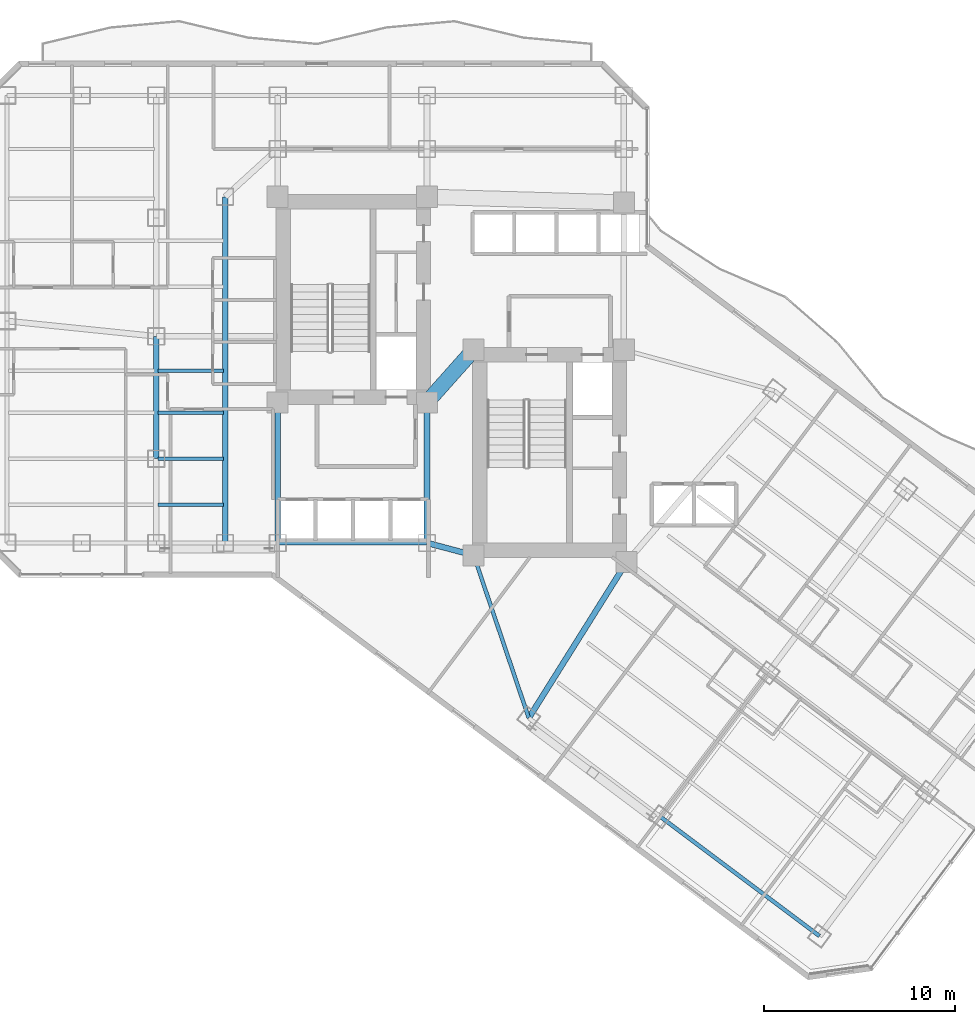
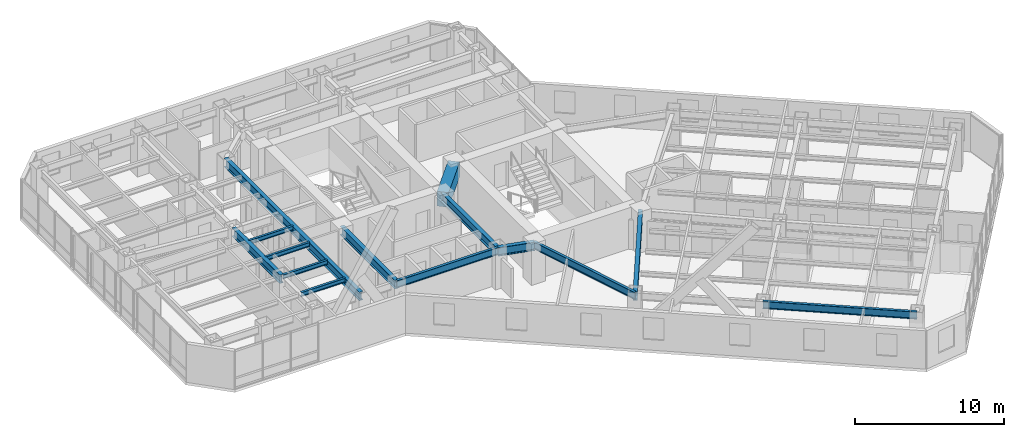
# One storey, part 5 of 30: 14 beams.
"""IFC4 building model written with IfcOpenShell, lengths in metres."""

import ifcopenshell
import ifcopenshell.guid

model = None  # the IFC model being written
_history = None  # IfcOwnerHistory: only IFC2X3 demands one
_inside = {}  # id of a spatial element -> (the spatial element, [elements in it])
_under = {}  # id of a project, library or spatial element -> (it, [spatial elements below it])
_declared = {}  # id of a project -> (the project, [libraries it declares])
_typed = {}  # id of a type object -> (the type object, [elements of that type])
_made_of = {}  # id of a material, layer set ... -> (it, [elements and type objects made of it])


def new_model(schema):
    """Start an empty IFC model of exactly this schema.

    Asked for "IFC4X3", IfcOpenShell would pick the latest addendum, in which some entities
    have other attributes; the version numbers below select the first issue.
    IFC2X3 requires an IfcOwnerHistory on every rooted entity: one is made here for all.
    """
    global model, _history
    if schema == "IFC4X3":
        model = ifcopenshell.file(schema_version=(4, 3, 0, 0))
    else:
        model = ifcopenshell.file(schema=schema)
    _inside.clear()
    _under.clear()
    _declared.clear()
    _typed.clear()
    _made_of.clear()
    _history = None
    if model.schema == "IFC2X3":
        org = make("IfcOrganization", Name="unknown")
        user = make(
            "IfcPersonAndOrganization",
            ThePerson=make("IfcPerson", FamilyName="unknown"),
            TheOrganization=org,
        )
        app = make(
            "IfcApplication",
            ApplicationDeveloper=org,
            Version="unknown",
            ApplicationFullName="unknown",
            ApplicationIdentifier="unknown",
        )
        _history = make(
            "IfcOwnerHistory",
            OwningUser=user,
            OwningApplication=app,
            ChangeAction="ADDED",
            CreationDate=0,
        )
    return model


def make(cls, **values):
    """One entity of the class cls with the attributes given. An attribute that is None is left unset."""
    return model.create_entity(
        cls, **{name: value for name, value in values.items() if value is not None}
    )


def rooted(cls, **values):
    """An entity with a GlobalId (a new one), such as an element, a storey or a relation."""
    return make(cls, GlobalId=ifcopenshell.guid.new(), OwnerHistory=_history, **values)


def si_unit(unit_type, name, prefix=None):
    """IfcSIUnit, for example si_unit("LENGTHUNIT", "METRE", prefix="MILLI")."""
    return make("IfcSIUnit", UnitType=unit_type, Prefix=prefix, Name=name)


def assignment(units):
    """IfcUnitAssignment: the units of a project."""
    return None if units is None else make("IfcUnitAssignment", Units=units)


def point(xyz):
    """IfcCartesianPoint."""
    return None if xyz is None else make("IfcCartesianPoint", Coordinates=xyz)


def direction(xyz):
    """IfcDirection."""
    return None if xyz is None else make("IfcDirection", DirectionRatios=xyz)


def frame(location, z_axis=None, x_axis=None):
    """IfcAxis2Placement3D, a coordinate frame: its origin and axes. An axis left out is left unset."""
    return make(
        "IfcAxis2Placement3D",
        Location=point(location),
        Axis=direction(z_axis),
        RefDirection=direction(x_axis),
    )


def frame_2d(location, x_axis=None):
    """IfcAxis2Placement2D, a coordinate frame in the plane: its origin and x axis."""
    return make(
        "IfcAxis2Placement2D", Location=point(location), RefDirection=direction(x_axis)
    )


def origin():
    """The frame at (0, 0, 0) with its axes left unset."""
    return frame((0.0, 0.0, 0.0))


def origin_2d():
    """The frame at (0, 0) in the plane with its x axis left unset."""
    return frame_2d((0.0, 0.0))


def place(relative_to, where):
    """IfcLocalPlacement: puts the frame where relative to a parent placement (None: the world)."""
    return make(
        "IfcLocalPlacement", PlacementRelTo=relative_to, RelativePlacement=where
    )


def context(
    kind, dimensions, precision=None, world=None, true_north=None, identifier=None
):
    """IfcGeometricRepresentationContext, for example the 3D "Model" context."""
    return make(
        "IfcGeometricRepresentationContext",
        ContextIdentifier=identifier,
        ContextType=kind,
        CoordinateSpaceDimension=dimensions,
        Precision=precision,
        WorldCoordinateSystem=world,
        TrueNorth=true_north,
    )


def subcontext(parent, identifier, kind, view, scale=None):
    """IfcGeometricRepresentationSubContext, for example "Body" below "Model"."""
    return make(
        "IfcGeometricRepresentationSubContext",
        ContextIdentifier=identifier,
        ContextType=kind,
        ParentContext=parent,
        TargetScale=scale,
        TargetView=view,
    )


def project(units=None, contexts=None):
    """IfcProject with its units and contexts."""
    return rooted(
        "IfcProject",
        Name="project",
        RepresentationContexts=contexts,
        UnitsInContext=assignment(units),
    )


def spatial(cls, under=None, at=None, **own):
    """A site, building, storey or space (cls), placed at a placement, below another one or the project."""
    s = rooted(cls, ObjectPlacement=at, **own)
    if under is not None:
        _under.setdefault(under.id(), (under, []))[1].append(s)
    return s


def profile(cls, at=None, kind="AREA", **sizes):
    """A parametric profile (cls). Its sizes go by their IFC names, for example OverallWidth=200.0."""
    return make(cls, ProfileType=kind, Position=at, **sizes)


def rectangle(**sizes):
    """IfcRectangleProfileDef."""
    return profile("IfcRectangleProfileDef", **sizes)


def i_section(**sizes):
    """IfcIShapeProfileDef."""
    return profile("IfcIShapeProfileDef", **sizes)


def extrude(swept, where, along, depth):
    """IfcExtrudedAreaSolid: the profile swept, set in the frame where, extruded along a direction by depth."""
    return make(
        "IfcExtrudedAreaSolid",
        SweptArea=swept,
        Position=where,
        ExtrudedDirection=direction(along),
        Depth=depth,
    )


def shape(context_of_items, identifier, shape_type, items):
    """IfcShapeRepresentation: the items that make up one representation, for example the "Body"."""
    return make(
        "IfcShapeRepresentation",
        ContextOfItems=context_of_items,
        RepresentationIdentifier=identifier,
        RepresentationType=shape_type,
        Items=items,
    )


def material(Name=None, Category=None):
    """IfcMaterial."""
    return make("IfcMaterial", Name=Name, Category=Category)


def material_profile(
    of_material, cross_section, Name=None, Category=None, Priority=None
):
    """IfcMaterialProfile: a cross section and its material."""
    return make(
        "IfcMaterialProfile",
        Name=Name,
        Material=of_material,
        Profile=cross_section,
        Priority=Priority,
        Category=Category,
    )


def profile_set(profiles, Name=None, composite=None):
    """IfcMaterialProfileSet."""
    return make(
        "IfcMaterialProfileSet",
        Name=Name,
        MaterialProfiles=profiles,
        CompositeProfile=composite,
    )


def made_of(thing, what):
    """Note that an element or type object is made of a material, layer set ...; save() writes the relation."""
    if what is not None:
        _made_of.setdefault(what.id(), (what, []))[1].append(thing)
    return thing


def type_object(cls, material=None, **own):
    """A type object (cls), such as IfcWallType, which elements share."""
    return made_of(rooted(cls, **own), material)


def element(
    cls,
    number,
    at=None,
    inside=None,
    cuts=None,
    type_object=None,
    material=None,
    context=None,
    identifier="Body",
    shape_type=None,
    held_by="IfcProductDefinitionShape",
    body=None,
    shapes=None,
    **own,
):
    """One element of the class cls, such as IfcWall. Its Tag is "e" and its number.

    at: its placement. inside: the storey or other place that contains it. cuts: it is an
    opening in that element (IfcRelVoidsElement). A single representation is given by context,
    identifier, shape_type and body (its items); several are given by shapes. held_by: the class
    of the entity that holds the representations. save() writes the other relations.
    """
    e = rooted(cls, Tag="e%d" % number, ObjectPlacement=at, **own)
    if body is not None:
        shapes = [shape(context, identifier, shape_type, body)]
    if shapes is not None:
        e.Representation = make(held_by, Representations=shapes)
    if inside is not None:
        _inside.setdefault(inside.id(), (inside, []))[1].append(e)
    if cuts is not None:
        rooted(
            "IfcRelVoidsElement", RelatingBuildingElement=cuts, RelatedOpeningElement=e
        )
    if type_object is not None:
        _typed.setdefault(type_object.id(), (type_object, []))[1].append(e)
    return made_of(e, material)


def aggregate(whole, parts):
    """IfcRelAggregates: a whole, such as a stair, and the parts it consists of."""
    return rooted("IfcRelAggregates", RelatingObject=whole, RelatedObjects=parts)


def save(model, path):
    """Write the relations noted so far, then the file.

    IfcRelAggregates (storeys below a building ...), IfcRelContainedInSpatialStructure (elements
    in a storey), IfcRelDefinesByType, IfcRelAssociatesMaterial and IfcRelDeclares: one each for
    every whole, place, type object, material and project.
    """
    for whole, parts in _under.values():
        aggregate(whole, parts)
    for where, things in _inside.values():
        rooted(
            "IfcRelContainedInSpatialStructure",
            RelatedElements=things,
            RelatingStructure=where,
        )
    for kind, things in _typed.values():
        rooted("IfcRelDefinesByType", RelatedObjects=things, RelatingType=kind)
    for what, things in _made_of.values():
        rooted("IfcRelAssociatesMaterial", RelatedObjects=things, RelatingMaterial=what)
    for by, libraries in _declared.values():
        rooted("IfcRelDeclares", RelatingContext=by, RelatedDefinitions=libraries)
    model.write(path)


model = new_model("IFC4")

# Units and contexts
model_context = context("Model", 3, precision=1e-05, world=origin(), true_north=direction((0.0, 1.0)))
body_context = subcontext(model_context, "Body", "Model", "MODEL_VIEW")
ifc_project = project(units=[si_unit("LENGTHUNIT", "METRE"), si_unit("AREAUNIT", "SQUARE_METRE"), si_unit("VOLUMEUNIT", "CUBIC_METRE"), si_unit("PLANEANGLEUNIT", "RADIAN"), si_unit("MASSUNIT", "GRAM", prefix="KILO")], contexts=[model_context])

# Site, building, storey
site_placement = place(None, origin())
site = spatial("IfcSite", under=ifc_project, at=site_placement, CompositionType="ELEMENT")
building_placement = place(site_placement, origin())
building = spatial("IfcBuilding", under=site, at=building_placement, Name="Hatsunagi Terrace Concourse", CompositionType="ELEMENT")
storey_placement = place(building_placement, frame((0.0, 0.0, 74.60009765625)))
storey = spatial("IfcBuildingStorey", under=building, at=storey_placement, Name="L19", CompositionType="ELEMENT", Elevation=74.60009765625)

# Beams
ifc_material_1 = material(Name="Concrete Fc60", Category="concrete")
ifc_material_profile_1 = material_profile(ifc_material_1, rectangle(XDim=0.800048828125, YDim=1.199951171875, at=origin_2d()), Name="RC-800x1200")
ifc_profile_set_1 = profile_set([ifc_material_profile_1], Name="Concrete Fc60")
beam_type_1 = type_object("IfcBeamType", Name="CoreCouplingBeam_RC_800x1200", PredefinedType="BEAM", material=ifc_profile_set_1)
beam_1_placement = place(storey_placement, frame((33.35009765625, 32.550048828125, 2.52978515625), z_axis=(0.665198651008, 0.746666427997, 0.0), x_axis=(-0.746666427997, 0.665198651008, 0.0)))
element("IfcBeam", 1, at=beam_1_placement, inside=storey, type_object=beam_type_1, Name="Beam CB-01 CB-L19-1", PredefinedType="BEAM", context=body_context, shape_type="SweptSolid", body=[
    extrude(rectangle(XDim=0.800048828125, YDim=1.199951171875, at=origin_2d()), origin(), (0.0, 0.0, 1.0), 3.68310546875),
])
ifc_material_2 = material(Name="Steel SN490B", Category="steel")
ifc_material_profile_2 = material_profile(ifc_material_2, i_section(OverallWidth=0.300048828125, OverallDepth=0.699951171875, WebThickness=0.012939453125, FlangeThickness=0.02392578125, FilletRadius=0.02197265625, at=origin_2d()), Name="H-700x300x13x24")
ifc_profile_set_2 = profile_set([ifc_material_profile_2], Name="Steel SN490B")
beam_type_2 = type_object("IfcBeamType", Name="HotelFloorGirder_H_700x300", PredefinedType="BEAM", material=ifc_profile_set_2)
for number, where, z_axis, x_axis, name in (
    (2, (25.550048828125, 25.199951171875, 2.77978515625), (0.0, 1.0, 0.0), (-1.0, 0.0, 0.0), "Beam G-04 BM-L19-K1CA"),
    (3, (33.35009765625, 25.199951171875, 2.77978515625), (0.0, 1.0, 0.0), (-1.0, 0.0, 0.0), "Beam G-04 BM-L19-K2CA"),
):
    element("IfcBeam", number, at=place(storey_placement, frame(where, z_axis=z_axis, x_axis=x_axis)), inside=storey, type_object=beam_type_2, Name=name, PredefinedType="BEAM", context=body_context, shape_type="SweptSolid", body=[
        extrude(i_section(OverallWidth=0.300048828125, OverallDepth=0.699951171875, WebThickness=0.012939453125, FlangeThickness=0.02392578125, FilletRadius=0.02197265625, at=origin_2d()), origin(), (0.0, 0.0, 1.0), 7.35009765625),
    ])
beam_2_placement = place(storey_placement, frame((33.35009765625, 25.199951171875, 2.77978515625), z_axis=(0.966569840116, -0.256403479262, 0.0), x_axis=(0.256403479262, 0.966569840116, 0.0)))
element("IfcBeam", 4, at=beam_2_placement, inside=storey, type_object=beam_type_2, Name="Beam G-04 BM-L19-K2CB", PredefinedType="BEAM", context=body_context, shape_type="SweptSolid", body=[
    extrude(i_section(OverallWidth=0.300048828125, OverallDepth=0.699951171875, WebThickness=0.012939453125, FlangeThickness=0.02392578125, FilletRadius=0.02197265625, at=origin_2d()), origin(), (0.0, 0.0, 1.0), 2.53466796875),
])
beam_3_placement = place(storey_placement, frame((22.800048828125, 25.199951171875, 2.77978515625), z_axis=(0.0, 1.0, 0.0), x_axis=(-1.0, 0.0, 0.0)))
element("IfcBeam", 5, at=beam_3_placement, inside=storey, type_object=beam_type_2, Name="Beam G-04 BM-L19-CWNS", PredefinedType="BEAM", context=body_context, shape_type="SweptSolid", body=[
    extrude(i_section(OverallWidth=0.300048828125, OverallDepth=0.699951171875, WebThickness=0.012939453125, FlangeThickness=0.02392578125, FilletRadius=0.02197265625, at=origin_2d()), origin(), (0.0, 0.0, 1.0), 18.10009765625),
])
beam_4_placement = place(storey_placement, frame((19.199951171875, 29.60009765625, 2.77978515625), z_axis=(0.0, 1.0, 0.0), x_axis=(-1.0, 0.0, 0.0)))
element("IfcBeam", 6, at=beam_4_placement, inside=storey, type_object=beam_type_2, Name="Beam G-04 BM-L19-NS-19-29", PredefinedType="BEAM", context=body_context, shape_type="SweptSolid", body=[
    extrude(i_section(OverallWidth=0.300048828125, OverallDepth=0.699951171875, WebThickness=0.012939453125, FlangeThickness=0.02392578125, FilletRadius=0.02197265625, at=origin_2d()), origin(), (0.0, 0.0, 1.0), 6.39990234375),
])
beam_5_placement = place(storey_placement, frame((38.679931640625, 16.0400390625, 2.77978515625), z_axis=(0.531503907049, 0.847055840421, 0.0), x_axis=(-0.847055840421, 0.531503907049, 0.0)))
element("IfcBeam", 7, at=beam_5_placement, inside=storey, type_object=beam_type_2, Name="Beam G-04 BM-L19-SET-1A", PredefinedType="BEAM", context=body_context, shape_type="SweptSolid", body=[
    extrude(i_section(OverallWidth=0.300048828125, OverallDepth=0.699951171875, WebThickness=0.012939453125, FlangeThickness=0.02392578125, FilletRadius=0.02197265625, at=origin_2d()), origin(), (0.0, 0.0, 1.0), 9.63330078125),
])
ifc_material_3 = material(Name="Steel SN490B", Category="steel")
ifc_material_profile_3 = material_profile(ifc_material_3, i_section(OverallWidth=0.175048828125, OverallDepth=0.35009765625, WebThickness=0.007080078125, FlangeThickness=0.010986328125, FilletRadius=0.012939453125, at=origin_2d()), Name="H-350x175x7x11")
ifc_profile_set_3 = profile_set([ifc_material_profile_3], Name="Steel SN490B")
beam_type_3 = type_object("IfcBeamType", Name="HotelJoist_H_350x175", PredefinedType="JOIST", material=ifc_profile_set_3)
for number, where, z_axis, x_axis, name in (
    (8, (19.284912109375, 27.199951171875, 2.954833984375), (1.0, 0.0, 0.0), (0.0, 1.0, 0.0), "Beam J-02 J-L19-W-19-272"),
    (9, (19.284912109375, 29.60009765625, 2.954833984375), (1.0, 0.0, 0.0), (0.0, 1.0, 0.0), "Beam J-02 J-L19-W-19-296"),
    (10, (19.284912109375, 32.0, 2.954833984375), (1.0, 0.0, 0.0), (0.0, 1.0, 0.0), "Beam J-02 J-L19-W-19-320"),
    (11, (19.284912109375, 34.199951171875, 2.954833984375), (1.0, 0.0, 0.0), (0.0, 1.0, 0.0), "Beam J-02 J-L19-W-19-342"),
):
    element("IfcBeam", number, at=place(storey_placement, frame(where, z_axis=z_axis, x_axis=x_axis)), inside=storey, type_object=beam_type_3, Name=name, PredefinedType="JOIST", context=body_context, shape_type="SweptSolid", body=[
        extrude(i_section(OverallWidth=0.175048828125, OverallDepth=0.35009765625, WebThickness=0.007080078125, FlangeThickness=0.010986328125, FilletRadius=0.012939453125, at=origin_2d()), origin(), (0.0, 0.0, 1.0), 3.43017578125),
    ])
ifc_material_4 = material(Name="Steel SN490B", Category="steel")
ifc_material_profile_4 = material_profile(ifc_material_4, i_section(OverallWidth=0.199951171875, OverallDepth=0.60009765625, WebThickness=0.010986328125, FlangeThickness=0.01708984375, FilletRadius=0.01806640625, at=origin_2d()), Name="H-600x200x11x17")
ifc_profile_set_4 = profile_set([ifc_material_profile_4], Name="Steel SN490B")
beam_type_4 = type_object("IfcBeamType", Name="PerimeterSpandrel_H_600x200", PredefinedType="SPANDREL", material=ifc_profile_set_4)
beam_6_placement = place(storey_placement, frame((25.550048828125, 25.199951171875, 2.829833984375), z_axis=(1.0, 0.0, 0.0), x_axis=(0.0, 1.0, 0.0)))
element("IfcBeam", 12, at=beam_6_placement, inside=storey, type_object=beam_type_4, Name="Beam SP-01 BM-L19-WS-25", PredefinedType="SPANDREL", context=body_context, shape_type="SweptSolid", body=[
    extrude(i_section(OverallWidth=0.199951171875, OverallDepth=0.60009765625, WebThickness=0.010986328125, FlangeThickness=0.01708984375, FilletRadius=0.01806640625, at=origin_2d()), origin(), (0.0, 0.0, 1.0), 7.800048828125),
])
beam_7_placement = place(storey_placement, frame((35.800048828125, 24.550048828125, 2.829833984375), z_axis=(0.320553412271, -0.947230441805, 0.0), x_axis=(0.947230441805, 0.320553412271, 0.0)))
element("IfcBeam", 13, at=beam_7_placement, inside=storey, type_object=beam_type_4, Name="Beam SP-01 BM-L19-SE-SW0", PredefinedType="SPANDREL", context=body_context, shape_type="SweptSolid", body=[
    extrude(i_section(OverallWidth=0.199951171875, OverallDepth=0.60009765625, WebThickness=0.010986328125, FlangeThickness=0.01708984375, FilletRadius=0.01806640625, at=origin_2d()), origin(), (0.0, 0.0, 1.0), 8.984130859375),
])
beam_8_placement = place(storey_placement, frame((45.56005859375, 10.8798828125, 2.829833984375), z_axis=(0.799994365871, -0.600007512099, 0.0), x_axis=(0.600007512099, 0.799994365871, 0.0)))
element("IfcBeam", 14, at=beam_8_placement, inside=storey, type_object=beam_type_4, Name="Beam SP-01 BM-L19-SE-SW3", PredefinedType="SPANDREL", context=body_context, shape_type="SweptSolid", body=[
    extrude(i_section(OverallWidth=0.199951171875, OverallDepth=0.60009765625, WebThickness=0.010986328125, FlangeThickness=0.01708984375, FilletRadius=0.01806640625, at=origin_2d()), origin(), (0.0, 0.0, 1.0), 10.39990234375),
])

save(model, "model.ifc")
